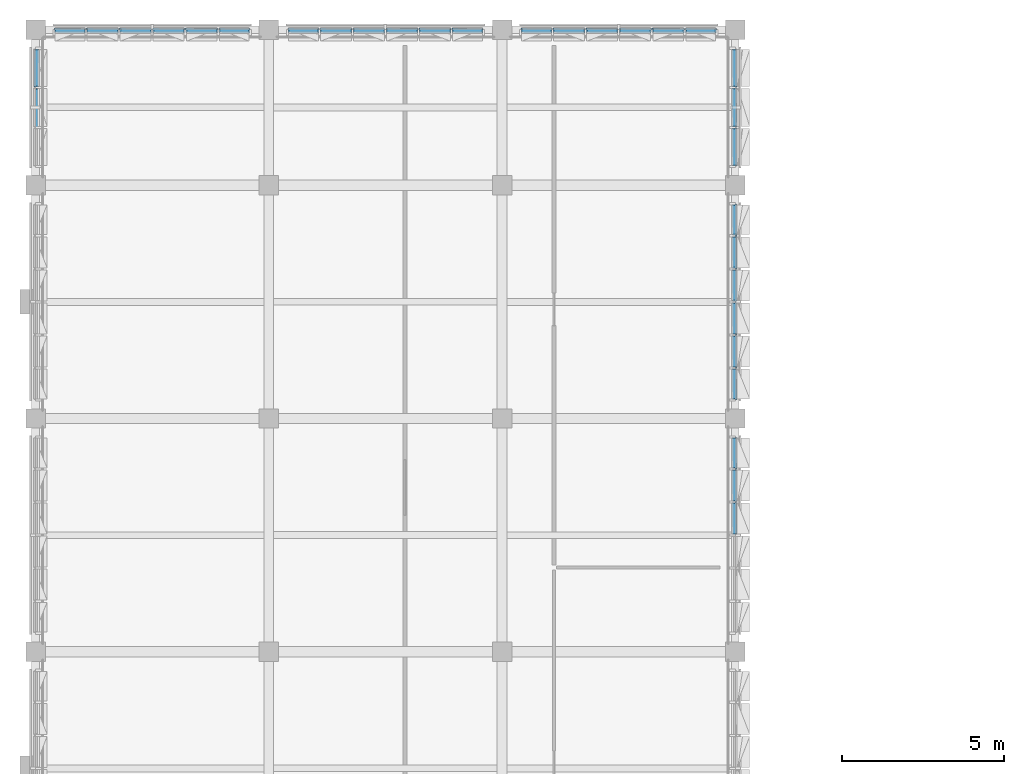
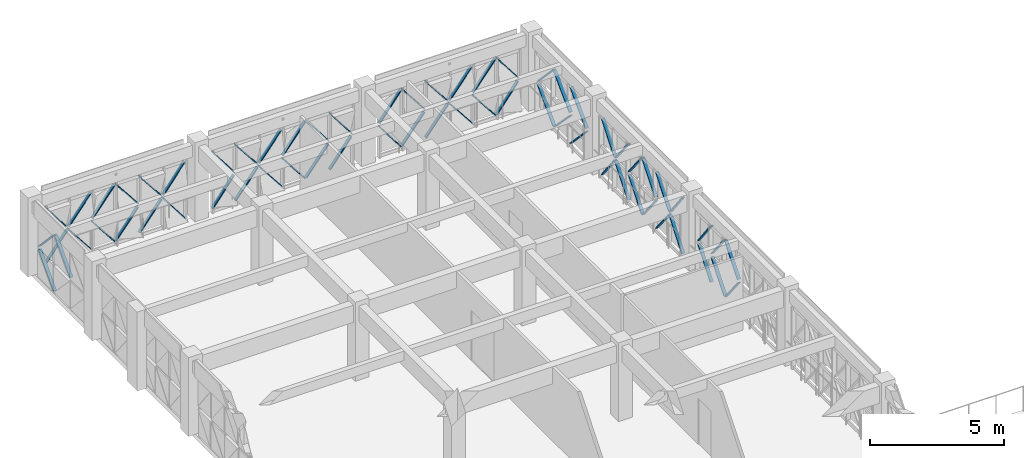
# One storey, part 65 of 99: 63 discrete accessories.
"""IFC4 building model written with IfcOpenShell, lengths in metres."""

from ifc_helpers import new_model, si_unit, direction, frame, origin, origin_2d, place, context, subcontext, project, spatial, rectangle, extrude, material, type_object, element, save


model = new_model("IFC4")

# Units and contexts
model_context = context("Model", 3, precision=1e-05, world=origin(), true_north=direction((0.0, 1.0)))
body_context = subcontext(model_context, "Body", "Model", "MODEL_VIEW")
ifc_project = project(units=[si_unit("LENGTHUNIT", "METRE"), si_unit("AREAUNIT", "SQUARE_METRE"), si_unit("VOLUMEUNIT", "CUBIC_METRE"), si_unit("PLANEANGLEUNIT", "RADIAN"), si_unit("MASSUNIT", "GRAM", prefix="KILO")], contexts=[model_context])

# Site, building, storey
site_placement = place(None, origin())
site = spatial("IfcSite", under=ifc_project, at=site_placement, CompositionType="ELEMENT")
building_placement = place(site_placement, origin())
building = spatial("IfcBuilding", under=site, at=building_placement, Name="Alvorim Cloister Faculty of Sciences", CompositionType="ELEMENT")
storey_placement = place(building_placement, frame((0.0, 0.0, 12.14990234375)))
storey = spatial("IfcBuildingStorey", under=building, at=storey_placement, Name="L03", CompositionType="ELEMENT", Elevation=12.14990234375)

# Discrete accessories
ifc_material = material(Name="Aluminium Alloy 6063-T6", Category="aluminium")
discrete_accessory_type = type_object("IfcDiscreteAccessoryType", Name="ACC-DIAG-BAR", PredefinedType="BRACKET", material=ifc_material)
discrete_accessory_1_placement = place(storey_placement, frame((0.0224609375, 108.612548828125, 1.4951171875), z_axis=(0.005921716613, 0.695151757511, 0.718838623963), x_axis=(-0.99996371874, 0.008518286405, 0.0)))
element("IfcDiscreteAccessory", 1, at=discrete_accessory_1_placement, inside=storey, type_object=discrete_accessory_type, Name="Diagonal Cassette Glazing Bracket ACC-01190", PredefinedType="BRACKET", context=body_context, shape_type="SweptSolid", body=[
    extrude(rectangle(XDim=0.139892578125, YDim=0.044921875, at=origin_2d()), origin(), (0.0, 0.0, 1.0), 1.6904296875),
])
discrete_accessory_2_placement = place(storey_placement, frame((0.0224609375, 109.8525390625, 0.14013671875), z_axis=(0.006001914684, 0.685096602967, 0.728427499223), x_axis=(-0.999961627419, 0.008760347591, 0.0)))
element("IfcDiscreteAccessory", 2, at=discrete_accessory_2_placement, inside=storey, type_object=discrete_accessory_type, Name="Diagonal Cassette Glazing Bracket ACC-01191", PredefinedType="BRACKET", context=body_context, shape_type="SweptSolid", body=[
    extrude(rectangle(XDim=0.139892578125, YDim=0.044921875, at=origin_2d()), origin(), (0.0, 0.0, 1.0), 1.667724609375),
])
discrete_accessory_3_placement = place(storey_placement, frame((0.0224609375, 109.8525390625, 2.710205078125), z_axis=(0.006001274719, 0.685023553293, -0.728496201868), x_axis=(-0.999961627419, 0.008760347591, 0.0)))
element("IfcDiscreteAccessory", 3, at=discrete_accessory_3_placement, inside=storey, type_object=discrete_accessory_type, Name="Diagonal Cassette Glazing Bracket ACC-01192", PredefinedType="BRACKET", context=body_context, shape_type="SweptSolid", body=[
    extrude(rectangle(XDim=0.139892578125, YDim=0.044921875, at=origin_2d()), origin(), (0.0, 0.0, 1.0), 1.66796875),
])
discrete_accessory_4_placement = place(storey_placement, frame((0.60498046875, 111.577392578125, 0.14013671875), z_axis=(0.604790215644, -0.006561629754, 0.796357796519), x_axis=(0.010848792579, 0.999941150118, 0.0)))
element("IfcDiscreteAccessory", 4, at=discrete_accessory_4_placement, inside=storey, type_object=discrete_accessory_type, Name="Diagonal Cassette Glazing Bracket ACC-01194", PredefinedType="BRACKET", context=body_context, shape_type="SweptSolid", body=[
    extrude(rectangle(XDim=0.139892578125, YDim=0.044921875, at=origin_2d()), origin(), (0.0, 0.0, 1.0), 1.525390625),
])
discrete_accessory_5_placement = place(storey_placement, frame((0.60498046875, 111.577392578125, 2.710205078125), z_axis=(0.604713142785, -0.006560793558, -0.796416330151), x_axis=(0.010848792579, 0.999941150118, 0.0)))
element("IfcDiscreteAccessory", 5, at=discrete_accessory_5_placement, inside=storey, type_object=discrete_accessory_type, Name="Diagonal Cassette Glazing Bracket ACC-01195", PredefinedType="BRACKET", context=body_context, shape_type="SweptSolid", body=[
    extrude(rectangle(XDim=0.139892578125, YDim=0.044921875, at=origin_2d()), origin(), (0.0, 0.0, 1.0), 1.525634765625),
])
discrete_accessory_6_placement = place(storey_placement, frame((1.592529296875, 111.577392578125, 1.35498046875), z_axis=(0.618031836495, -0.00647732753, -0.786126385072), x_axis=(0.010479997039, 0.999945083323, 0.0)))
element("IfcDiscreteAccessory", 6, at=discrete_accessory_6_placement, inside=storey, type_object=discrete_accessory_type, Name="Diagonal Cassette Glazing Bracket ACC-01196", PredefinedType="BRACKET", context=body_context, shape_type="SweptSolid", body=[
    extrude(rectangle(XDim=0.139892578125, YDim=0.044921875, at=origin_2d()), origin(), (0.0, 0.0, 1.0), 1.54541015625),
])
discrete_accessory_7_placement = place(storey_placement, frame((1.592529296875, 111.577392578125, 1.4951171875), z_axis=(0.617955086572, -0.006476523147, 0.786186724404), x_axis=(0.010479997039, 0.999945083323, 0.0)))
element("IfcDiscreteAccessory", 7, at=discrete_accessory_7_placement, inside=storey, type_object=discrete_accessory_type, Name="Diagonal Cassette Glazing Bracket ACC-01197", PredefinedType="BRACKET", context=body_context, shape_type="SweptSolid", body=[
    extrude(rectangle(XDim=0.139892578125, YDim=0.044921875, at=origin_2d()), origin(), (0.0, 0.0, 1.0), 1.545654296875),
])
discrete_accessory_8_placement = place(storey_placement, frame((2.612548828125, 111.577392578125, 1.35498046875), z_axis=(0.61793418254, -0.006477959981, -0.786203143012), x_axis=(0.010482676365, 0.999945055239, 0.0)))
element("IfcDiscreteAccessory", 8, at=discrete_accessory_8_placement, inside=storey, type_object=discrete_accessory_type, Name="Diagonal Cassette Glazing Bracket ACC-01198", PredefinedType="BRACKET", context=body_context, shape_type="SweptSolid", body=[
    extrude(rectangle(XDim=0.139892578125, YDim=0.044921875, at=origin_2d()), origin(), (0.0, 0.0, 1.0), 1.545166015625),
])
discrete_accessory_9_placement = place(storey_placement, frame((2.612548828125, 111.577392578125, 1.4951171875), z_axis=(0.61785742976, -0.006477155362, 0.786263469168), x_axis=(0.010482676365, 0.999945055239, 0.0)))
element("IfcDiscreteAccessory", 9, at=discrete_accessory_9_placement, inside=storey, type_object=discrete_accessory_type, Name="Diagonal Cassette Glazing Bracket ACC-01199", PredefinedType="BRACKET", context=body_context, shape_type="SweptSolid", body=[
    extrude(rectangle(XDim=0.139892578125, YDim=0.044921875, at=origin_2d()), origin(), (0.0, 0.0, 1.0), 1.54541015625),
])
discrete_accessory_10_placement = place(storey_placement, frame((3.632568359375, 111.577392578125, 0.14013671875), z_axis=(0.61793418254, -0.006477959981, 0.786203143012), x_axis=(0.010482676365, 0.999945055239, 0.0)))
element("IfcDiscreteAccessory", 10, at=discrete_accessory_10_placement, inside=storey, type_object=discrete_accessory_type, Name="Diagonal Cassette Glazing Bracket ACC-01200", PredefinedType="BRACKET", context=body_context, shape_type="SweptSolid", body=[
    extrude(rectangle(XDim=0.139892578125, YDim=0.044921875, at=origin_2d()), origin(), (0.0, 0.0, 1.0), 1.545166015625),
])
discrete_accessory_11_placement = place(storey_placement, frame((3.632568359375, 111.577392578125, 2.710205078125), z_axis=(0.61785742976, -0.006477155362, -0.786263469168), x_axis=(0.010482676365, 0.999945055239, 0.0)))
element("IfcDiscreteAccessory", 11, at=discrete_accessory_11_placement, inside=storey, type_object=discrete_accessory_type, Name="Diagonal Cassette Glazing Bracket ACC-01201", PredefinedType="BRACKET", context=body_context, shape_type="SweptSolid", body=[
    extrude(rectangle(XDim=0.139892578125, YDim=0.044921875, at=origin_2d()), origin(), (0.0, 0.0, 1.0), 1.54541015625),
])
discrete_accessory_12_placement = place(storey_placement, frame((4.652587890625, 111.577392578125, 0.14013671875), z_axis=(0.61793418254, -0.006477959981, 0.786203143012), x_axis=(0.010482676365, 0.999945055239, 0.0)))
element("IfcDiscreteAccessory", 12, at=discrete_accessory_12_placement, inside=storey, type_object=discrete_accessory_type, Name="Diagonal Cassette Glazing Bracket ACC-01202", PredefinedType="BRACKET", context=body_context, shape_type="SweptSolid", body=[
    extrude(rectangle(XDim=0.139892578125, YDim=0.044921875, at=origin_2d()), origin(), (0.0, 0.0, 1.0), 1.545166015625),
])
discrete_accessory_13_placement = place(storey_placement, frame((4.652587890625, 111.577392578125, 2.710205078125), z_axis=(0.61785742976, -0.006477155362, -0.786263469168), x_axis=(0.010482676365, 0.999945055239, 0.0)))
element("IfcDiscreteAccessory", 13, at=discrete_accessory_13_placement, inside=storey, type_object=discrete_accessory_type, Name="Diagonal Cassette Glazing Bracket ACC-01203", PredefinedType="BRACKET", context=body_context, shape_type="SweptSolid", body=[
    extrude(rectangle(XDim=0.139892578125, YDim=0.044921875, at=origin_2d()), origin(), (0.0, 0.0, 1.0), 1.54541015625),
])
discrete_accessory_14_placement = place(storey_placement, frame((5.672607421875, 111.577392578125, 1.35498046875), z_axis=(0.604688699088, -0.006562264866, -0.796434877359), x_axis=(0.010851663811, 0.999941118963, 0.0)))
element("IfcDiscreteAccessory", 14, at=discrete_accessory_14_placement, inside=storey, type_object=discrete_accessory_type, Name="Diagonal Cassette Glazing Bracket ACC-01204", PredefinedType="BRACKET", context=body_context, shape_type="SweptSolid", body=[
    extrude(rectangle(XDim=0.139892578125, YDim=0.044921875, at=origin_2d()), origin(), (0.0, 0.0, 1.0), 1.525390625),
])
discrete_accessory_15_placement = place(storey_placement, frame((5.672607421875, 111.577392578125, 1.4951171875), z_axis=(0.604611624251, -0.006561428426, 0.796493397008), x_axis=(0.010851663811, 0.999941118963, 0.0)))
element("IfcDiscreteAccessory", 15, at=discrete_accessory_15_placement, inside=storey, type_object=discrete_accessory_type, Name="Diagonal Cassette Glazing Bracket ACC-01205", PredefinedType="BRACKET", context=body_context, shape_type="SweptSolid", body=[
    extrude(rectangle(XDim=0.139892578125, YDim=0.044921875, at=origin_2d()), origin(), (0.0, 0.0, 1.0), 1.525634765625),
])
discrete_accessory_16_placement = place(storey_placement, frame((7.804931640625, 111.577392578125, 0.14013671875), z_axis=(0.604790215644, -0.006561629754, 0.796357796519), x_axis=(0.010848792579, 0.999941150118, 0.0)))
element("IfcDiscreteAccessory", 16, at=discrete_accessory_16_placement, inside=storey, type_object=discrete_accessory_type, Name="Diagonal Cassette Glazing Bracket ACC-01207", PredefinedType="BRACKET", context=body_context, shape_type="SweptSolid", body=[
    extrude(rectangle(XDim=0.139892578125, YDim=0.044921875, at=origin_2d()), origin(), (0.0, 0.0, 1.0), 1.525390625),
])
discrete_accessory_17_placement = place(storey_placement, frame((7.804931640625, 111.577392578125, 2.710205078125), z_axis=(0.604713142785, -0.006560793558, -0.796416330151), x_axis=(0.010848792579, 0.999941150118, 0.0)))
element("IfcDiscreteAccessory", 17, at=discrete_accessory_17_placement, inside=storey, type_object=discrete_accessory_type, Name="Diagonal Cassette Glazing Bracket ACC-01208", PredefinedType="BRACKET", context=body_context, shape_type="SweptSolid", body=[
    extrude(rectangle(XDim=0.139892578125, YDim=0.044921875, at=origin_2d()), origin(), (0.0, 0.0, 1.0), 1.525634765625),
])
discrete_accessory_18_placement = place(storey_placement, frame((8.79248046875, 111.577392578125, 0.14013671875), z_axis=(0.618031836495, -0.00647732753, 0.786126385072), x_axis=(0.010479997039, 0.999945083323, 0.0)))
element("IfcDiscreteAccessory", 18, at=discrete_accessory_18_placement, inside=storey, type_object=discrete_accessory_type, Name="Diagonal Cassette Glazing Bracket ACC-01209", PredefinedType="BRACKET", context=body_context, shape_type="SweptSolid", body=[
    extrude(rectangle(XDim=0.139892578125, YDim=0.044921875, at=origin_2d()), origin(), (0.0, 0.0, 1.0), 1.54541015625),
])
discrete_accessory_19_placement = place(storey_placement, frame((8.79248046875, 111.577392578125, 2.710205078125), z_axis=(0.617955086572, -0.006476523147, -0.786186724404), x_axis=(0.010479997039, 0.999945083323, 0.0)))
element("IfcDiscreteAccessory", 19, at=discrete_accessory_19_placement, inside=storey, type_object=discrete_accessory_type, Name="Diagonal Cassette Glazing Bracket ACC-01210", PredefinedType="BRACKET", context=body_context, shape_type="SweptSolid", body=[
    extrude(rectangle(XDim=0.139892578125, YDim=0.044921875, at=origin_2d()), origin(), (0.0, 0.0, 1.0), 1.545654296875),
])
discrete_accessory_20_placement = place(storey_placement, frame((9.8125, 111.577392578125, 1.35498046875), z_axis=(0.618031836495, -0.00647732753, -0.786126385072), x_axis=(0.010479997039, 0.999945083323, 0.0)))
element("IfcDiscreteAccessory", 20, at=discrete_accessory_20_placement, inside=storey, type_object=discrete_accessory_type, Name="Diagonal Cassette Glazing Bracket ACC-01211", PredefinedType="BRACKET", context=body_context, shape_type="SweptSolid", body=[
    extrude(rectangle(XDim=0.139892578125, YDim=0.044921875, at=origin_2d()), origin(), (0.0, 0.0, 1.0), 1.54541015625),
])
discrete_accessory_21_placement = place(storey_placement, frame((9.8125, 111.577392578125, 1.4951171875), z_axis=(0.617955086572, -0.006476523147, 0.786186724404), x_axis=(0.010479997039, 0.999945083323, 0.0)))
element("IfcDiscreteAccessory", 21, at=discrete_accessory_21_placement, inside=storey, type_object=discrete_accessory_type, Name="Diagonal Cassette Glazing Bracket ACC-01212", PredefinedType="BRACKET", context=body_context, shape_type="SweptSolid", body=[
    extrude(rectangle(XDim=0.139892578125, YDim=0.044921875, at=origin_2d()), origin(), (0.0, 0.0, 1.0), 1.545654296875),
])
discrete_accessory_22_placement = place(storey_placement, frame((10.83251953125, 111.577392578125, 1.35498046875), z_axis=(0.618031836495, -0.00647732753, -0.786126385072), x_axis=(0.010479997039, 0.999945083323, 0.0)))
element("IfcDiscreteAccessory", 22, at=discrete_accessory_22_placement, inside=storey, type_object=discrete_accessory_type, Name="Diagonal Cassette Glazing Bracket ACC-01213", PredefinedType="BRACKET", context=body_context, shape_type="SweptSolid", body=[
    extrude(rectangle(XDim=0.139892578125, YDim=0.044921875, at=origin_2d()), origin(), (0.0, 0.0, 1.0), 1.54541015625),
])
discrete_accessory_23_placement = place(storey_placement, frame((10.83251953125, 111.577392578125, 1.4951171875), z_axis=(0.617955086572, -0.006476523147, 0.786186724404), x_axis=(0.010479997039, 0.999945083323, 0.0)))
element("IfcDiscreteAccessory", 23, at=discrete_accessory_23_placement, inside=storey, type_object=discrete_accessory_type, Name="Diagonal Cassette Glazing Bracket ACC-01214", PredefinedType="BRACKET", context=body_context, shape_type="SweptSolid", body=[
    extrude(rectangle(XDim=0.139892578125, YDim=0.044921875, at=origin_2d()), origin(), (0.0, 0.0, 1.0), 1.545654296875),
])
discrete_accessory_24_placement = place(storey_placement, frame((11.8525390625, 111.577392578125, 0.14013671875), z_axis=(0.618031836495, -0.00647732753, 0.786126385072), x_axis=(0.010479997039, 0.999945083323, 0.0)))
element("IfcDiscreteAccessory", 24, at=discrete_accessory_24_placement, inside=storey, type_object=discrete_accessory_type, Name="Diagonal Cassette Glazing Bracket ACC-01215", PredefinedType="BRACKET", context=body_context, shape_type="SweptSolid", body=[
    extrude(rectangle(XDim=0.139892578125, YDim=0.044921875, at=origin_2d()), origin(), (0.0, 0.0, 1.0), 1.54541015625),
])
discrete_accessory_25_placement = place(storey_placement, frame((11.8525390625, 111.577392578125, 2.710205078125), z_axis=(0.617955086572, -0.006476523147, -0.786186724404), x_axis=(0.010479997039, 0.999945083323, 0.0)))
element("IfcDiscreteAccessory", 25, at=discrete_accessory_25_placement, inside=storey, type_object=discrete_accessory_type, Name="Diagonal Cassette Glazing Bracket ACC-01216", PredefinedType="BRACKET", context=body_context, shape_type="SweptSolid", body=[
    extrude(rectangle(XDim=0.139892578125, YDim=0.044921875, at=origin_2d()), origin(), (0.0, 0.0, 1.0), 1.545654296875),
])
discrete_accessory_26_placement = place(storey_placement, frame((12.87255859375, 111.577392578125, 0.14013671875), z_axis=(0.604688699088, -0.006562264866, 0.796434877359), x_axis=(0.010851663811, 0.999941118963, 0.0)))
element("IfcDiscreteAccessory", 26, at=discrete_accessory_26_placement, inside=storey, type_object=discrete_accessory_type, Name="Diagonal Cassette Glazing Bracket ACC-01217", PredefinedType="BRACKET", context=body_context, shape_type="SweptSolid", body=[
    extrude(rectangle(XDim=0.139892578125, YDim=0.044921875, at=origin_2d()), origin(), (0.0, 0.0, 1.0), 1.525390625),
])
discrete_accessory_27_placement = place(storey_placement, frame((12.87255859375, 111.577392578125, 2.710205078125), z_axis=(0.604611624251, -0.006561428426, -0.796493397008), x_axis=(0.010851663811, 0.999941118963, 0.0)))
element("IfcDiscreteAccessory", 27, at=discrete_accessory_27_placement, inside=storey, type_object=discrete_accessory_type, Name="Diagonal Cassette Glazing Bracket ACC-01218", PredefinedType="BRACKET", context=body_context, shape_type="SweptSolid", body=[
    extrude(rectangle(XDim=0.139892578125, YDim=0.044921875, at=origin_2d()), origin(), (0.0, 0.0, 1.0), 1.525634765625),
])
discrete_accessory_28_placement = place(storey_placement, frame((15.0048828125, 111.577392578125, 1.35498046875), z_axis=(0.604790215644, -0.006561629754, -0.796357796519), x_axis=(0.010848792579, 0.999941150118, 0.0)))
element("IfcDiscreteAccessory", 28, at=discrete_accessory_28_placement, inside=storey, type_object=discrete_accessory_type, Name="Diagonal Cassette Glazing Bracket ACC-01220", PredefinedType="BRACKET", context=body_context, shape_type="SweptSolid", body=[
    extrude(rectangle(XDim=0.139892578125, YDim=0.044921875, at=origin_2d()), origin(), (0.0, 0.0, 1.0), 1.525390625),
])
discrete_accessory_29_placement = place(storey_placement, frame((15.0048828125, 111.577392578125, 1.4951171875), z_axis=(0.604713142785, -0.006560793558, 0.796416330151), x_axis=(0.010848792579, 0.999941150118, 0.0)))
element("IfcDiscreteAccessory", 29, at=discrete_accessory_29_placement, inside=storey, type_object=discrete_accessory_type, Name="Diagonal Cassette Glazing Bracket ACC-01221", PredefinedType="BRACKET", context=body_context, shape_type="SweptSolid", body=[
    extrude(rectangle(XDim=0.139892578125, YDim=0.044921875, at=origin_2d()), origin(), (0.0, 0.0, 1.0), 1.525634765625),
])
discrete_accessory_30_placement = place(storey_placement, frame((15.992431640625, 111.577392578125, 0.14013671875), z_axis=(0.618031836495, -0.00647732753, 0.786126385072), x_axis=(0.010479997039, 0.999945083323, 0.0)))
element("IfcDiscreteAccessory", 30, at=discrete_accessory_30_placement, inside=storey, type_object=discrete_accessory_type, Name="Diagonal Cassette Glazing Bracket ACC-01222", PredefinedType="BRACKET", context=body_context, shape_type="SweptSolid", body=[
    extrude(rectangle(XDim=0.139892578125, YDim=0.044921875, at=origin_2d()), origin(), (0.0, 0.0, 1.0), 1.54541015625),
])
discrete_accessory_31_placement = place(storey_placement, frame((15.992431640625, 111.577392578125, 2.710205078125), z_axis=(0.617955086572, -0.006476523147, -0.786186724404), x_axis=(0.010479997039, 0.999945083323, 0.0)))
element("IfcDiscreteAccessory", 31, at=discrete_accessory_31_placement, inside=storey, type_object=discrete_accessory_type, Name="Diagonal Cassette Glazing Bracket ACC-01223", PredefinedType="BRACKET", context=body_context, shape_type="SweptSolid", body=[
    extrude(rectangle(XDim=0.139892578125, YDim=0.044921875, at=origin_2d()), origin(), (0.0, 0.0, 1.0), 1.545654296875),
])
discrete_accessory_32_placement = place(storey_placement, frame((17.012451171875, 111.577392578125, 0.14013671875), z_axis=(0.618031836495, -0.00647732753, 0.786126385072), x_axis=(0.010479997039, 0.999945083323, 0.0)))
element("IfcDiscreteAccessory", 32, at=discrete_accessory_32_placement, inside=storey, type_object=discrete_accessory_type, Name="Diagonal Cassette Glazing Bracket ACC-01224", PredefinedType="BRACKET", context=body_context, shape_type="SweptSolid", body=[
    extrude(rectangle(XDim=0.139892578125, YDim=0.044921875, at=origin_2d()), origin(), (0.0, 0.0, 1.0), 1.54541015625),
])
discrete_accessory_33_placement = place(storey_placement, frame((17.012451171875, 111.577392578125, 2.710205078125), z_axis=(0.617955086572, -0.006476523147, -0.786186724404), x_axis=(0.010479997039, 0.999945083323, 0.0)))
element("IfcDiscreteAccessory", 33, at=discrete_accessory_33_placement, inside=storey, type_object=discrete_accessory_type, Name="Diagonal Cassette Glazing Bracket ACC-01225", PredefinedType="BRACKET", context=body_context, shape_type="SweptSolid", body=[
    extrude(rectangle(XDim=0.139892578125, YDim=0.044921875, at=origin_2d()), origin(), (0.0, 0.0, 1.0), 1.545654296875),
])
discrete_accessory_34_placement = place(storey_placement, frame((18.032470703125, 111.577392578125, 1.35498046875), z_axis=(0.618031836495, -0.00647732753, -0.786126385072), x_axis=(0.010479997039, 0.999945083323, 0.0)))
element("IfcDiscreteAccessory", 34, at=discrete_accessory_34_placement, inside=storey, type_object=discrete_accessory_type, Name="Diagonal Cassette Glazing Bracket ACC-01226", PredefinedType="BRACKET", context=body_context, shape_type="SweptSolid", body=[
    extrude(rectangle(XDim=0.139892578125, YDim=0.044921875, at=origin_2d()), origin(), (0.0, 0.0, 1.0), 1.54541015625),
])
discrete_accessory_35_placement = place(storey_placement, frame((18.032470703125, 111.577392578125, 1.4951171875), z_axis=(0.617955086572, -0.006476523147, 0.786186724404), x_axis=(0.010479997039, 0.999945083323, 0.0)))
element("IfcDiscreteAccessory", 35, at=discrete_accessory_35_placement, inside=storey, type_object=discrete_accessory_type, Name="Diagonal Cassette Glazing Bracket ACC-01227", PredefinedType="BRACKET", context=body_context, shape_type="SweptSolid", body=[
    extrude(rectangle(XDim=0.139892578125, YDim=0.044921875, at=origin_2d()), origin(), (0.0, 0.0, 1.0), 1.545654296875),
])
discrete_accessory_36_placement = place(storey_placement, frame((19.052490234375, 111.577392578125, 1.35498046875), z_axis=(0.618031836495, -0.00647732753, -0.786126385072), x_axis=(0.010479997039, 0.999945083323, 0.0)))
element("IfcDiscreteAccessory", 36, at=discrete_accessory_36_placement, inside=storey, type_object=discrete_accessory_type, Name="Diagonal Cassette Glazing Bracket ACC-01228", PredefinedType="BRACKET", context=body_context, shape_type="SweptSolid", body=[
    extrude(rectangle(XDim=0.139892578125, YDim=0.044921875, at=origin_2d()), origin(), (0.0, 0.0, 1.0), 1.54541015625),
])
discrete_accessory_37_placement = place(storey_placement, frame((19.052490234375, 111.577392578125, 1.4951171875), z_axis=(0.617955086572, -0.006476523147, 0.786186724404), x_axis=(0.010479997039, 0.999945083323, 0.0)))
element("IfcDiscreteAccessory", 37, at=discrete_accessory_37_placement, inside=storey, type_object=discrete_accessory_type, Name="Diagonal Cassette Glazing Bracket ACC-01229", PredefinedType="BRACKET", context=body_context, shape_type="SweptSolid", body=[
    extrude(rectangle(XDim=0.139892578125, YDim=0.044921875, at=origin_2d()), origin(), (0.0, 0.0, 1.0), 1.545654296875),
])
discrete_accessory_38_placement = place(storey_placement, frame((20.072509765625, 111.577392578125, 0.14013671875), z_axis=(0.604790215644, -0.006561629754, 0.796357796519), x_axis=(0.010848792579, 0.999941150118, 0.0)))
element("IfcDiscreteAccessory", 38, at=discrete_accessory_38_placement, inside=storey, type_object=discrete_accessory_type, Name="Diagonal Cassette Glazing Bracket ACC-01230", PredefinedType="BRACKET", context=body_context, shape_type="SweptSolid", body=[
    extrude(rectangle(XDim=0.139892578125, YDim=0.044921875, at=origin_2d()), origin(), (0.0, 0.0, 1.0), 1.525390625),
])
discrete_accessory_39_placement = place(storey_placement, frame((20.072509765625, 111.577392578125, 2.710205078125), z_axis=(0.604713142785, -0.006560793558, -0.796416330151), x_axis=(0.010848792579, 0.999941150118, 0.0)))
element("IfcDiscreteAccessory", 39, at=discrete_accessory_39_placement, inside=storey, type_object=discrete_accessory_type, Name="Diagonal Cassette Glazing Bracket ACC-01231", PredefinedType="BRACKET", context=body_context, shape_type="SweptSolid", body=[
    extrude(rectangle(XDim=0.139892578125, YDim=0.044921875, at=origin_2d()), origin(), (0.0, 0.0, 1.0), 1.525634765625),
])
discrete_accessory_40_placement = place(storey_placement, frame((21.577392578125, 107.405029296875, 1.35498046875), z_axis=(-0.006001914684, 0.685096602967, -0.728427499223), x_axis=(-0.999961627419, -0.008760347591, 0.0)))
element("IfcDiscreteAccessory", 40, at=discrete_accessory_40_placement, inside=storey, type_object=discrete_accessory_type, Name="Diagonal Cassette Glazing Bracket ACC-01233", PredefinedType="BRACKET", context=body_context, shape_type="SweptSolid", body=[
    extrude(rectangle(XDim=0.139892578125, YDim=0.044921875, at=origin_2d()), origin(), (0.0, 0.0, 1.0), 1.667724609375),
])
discrete_accessory_41_placement = place(storey_placement, frame((21.577392578125, 107.405029296875, 1.4951171875), z_axis=(-0.006001274719, 0.685023553293, 0.728496201868), x_axis=(-0.999961627419, -0.008760347591, 0.0)))
element("IfcDiscreteAccessory", 41, at=discrete_accessory_41_placement, inside=storey, type_object=discrete_accessory_type, Name="Diagonal Cassette Glazing Bracket ACC-01234", PredefinedType="BRACKET", context=body_context, shape_type="SweptSolid", body=[
    extrude(rectangle(XDim=0.139892578125, YDim=0.044921875, at=origin_2d()), origin(), (0.0, 0.0, 1.0), 1.66796875),
])
discrete_accessory_42_placement = place(storey_placement, frame((21.577392578125, 108.612548828125, 1.35498046875), z_axis=(-0.00592233146, 0.695223934506, -0.718768813235), x_axis=(-0.99996371874, -0.008518286405, 0.0)))
element("IfcDiscreteAccessory", 42, at=discrete_accessory_42_placement, inside=storey, type_object=discrete_accessory_type, Name="Diagonal Cassette Glazing Bracket ACC-01235", PredefinedType="BRACKET", context=body_context, shape_type="SweptSolid", body=[
    extrude(rectangle(XDim=0.139892578125, YDim=0.044921875, at=origin_2d()), origin(), (0.0, 0.0, 1.0), 1.690185546875),
])
discrete_accessory_43_placement = place(storey_placement, frame((21.577392578125, 108.612548828125, 1.4951171875), z_axis=(-0.005921716613, 0.695151757511, 0.718838623963), x_axis=(-0.99996371874, -0.008518286405, 0.0)))
element("IfcDiscreteAccessory", 43, at=discrete_accessory_43_placement, inside=storey, type_object=discrete_accessory_type, Name="Diagonal Cassette Glazing Bracket ACC-01236", PredefinedType="BRACKET", context=body_context, shape_type="SweptSolid", body=[
    extrude(rectangle(XDim=0.139892578125, YDim=0.044921875, at=origin_2d()), origin(), (0.0, 0.0, 1.0), 1.6904296875),
])
discrete_accessory_44_placement = place(storey_placement, frame((21.577392578125, 109.8525390625, 0.14013671875), z_axis=(-0.006001914684, 0.685096602967, 0.728427499223), x_axis=(-0.999961627419, -0.008760347591, 0.0)))
element("IfcDiscreteAccessory", 44, at=discrete_accessory_44_placement, inside=storey, type_object=discrete_accessory_type, Name="Diagonal Cassette Glazing Bracket ACC-01237", PredefinedType="BRACKET", context=body_context, shape_type="SweptSolid", body=[
    extrude(rectangle(XDim=0.139892578125, YDim=0.044921875, at=origin_2d()), origin(), (0.0, 0.0, 1.0), 1.667724609375),
])
discrete_accessory_45_placement = place(storey_placement, frame((21.577392578125, 109.8525390625, 2.710205078125), z_axis=(-0.006001274719, 0.685023553293, -0.728496201868), x_axis=(-0.999961627419, -0.008760347591, 0.0)))
element("IfcDiscreteAccessory", 45, at=discrete_accessory_45_placement, inside=storey, type_object=discrete_accessory_type, Name="Diagonal Cassette Glazing Bracket ACC-01238", PredefinedType="BRACKET", context=body_context, shape_type="SweptSolid", body=[
    extrude(rectangle(XDim=0.139892578125, YDim=0.044921875, at=origin_2d()), origin(), (0.0, 0.0, 1.0), 1.66796875),
])
discrete_accessory_46_placement = place(storey_placement, frame((21.577392578125, 100.205078125, 0.14013671875), z_axis=(-0.006562264866, 0.604688699088, 0.796434877359), x_axis=(-0.999941118963, -0.010851663811, 0.0)))
element("IfcDiscreteAccessory", 46, at=discrete_accessory_46_placement, inside=storey, type_object=discrete_accessory_type, Name="Diagonal Cassette Glazing Bracket ACC-01240", PredefinedType="BRACKET", context=body_context, shape_type="SweptSolid", body=[
    extrude(rectangle(XDim=0.139892578125, YDim=0.044921875, at=origin_2d()), origin(), (0.0, 0.0, 1.0), 1.525390625),
])
discrete_accessory_47_placement = place(storey_placement, frame((21.577392578125, 100.205078125, 2.710205078125), z_axis=(-0.006561428426, 0.604611624251, -0.796493397008), x_axis=(-0.999941118963, -0.010851663811, 0.0)))
element("IfcDiscreteAccessory", 47, at=discrete_accessory_47_placement, inside=storey, type_object=discrete_accessory_type, Name="Diagonal Cassette Glazing Bracket ACC-01241", PredefinedType="BRACKET", context=body_context, shape_type="SweptSolid", body=[
    extrude(rectangle(XDim=0.139892578125, YDim=0.044921875, at=origin_2d()), origin(), (0.0, 0.0, 1.0), 1.525634765625),
])
discrete_accessory_48_placement = place(storey_placement, frame((21.577392578125, 101.1923828125, 1.35498046875), z_axis=(-0.00647732753, 0.618031836495, -0.786126385072), x_axis=(-0.999945083323, -0.010479997039, 0.0)))
element("IfcDiscreteAccessory", 48, at=discrete_accessory_48_placement, inside=storey, type_object=discrete_accessory_type, Name="Diagonal Cassette Glazing Bracket ACC-01242", PredefinedType="BRACKET", context=body_context, shape_type="SweptSolid", body=[
    extrude(rectangle(XDim=0.139892578125, YDim=0.044921875, at=origin_2d()), origin(), (0.0, 0.0, 1.0), 1.54541015625),
])
discrete_accessory_49_placement = place(storey_placement, frame((21.577392578125, 101.1923828125, 1.4951171875), z_axis=(-0.006476523147, 0.617955086572, 0.786186724404), x_axis=(-0.999945083323, -0.010479997039, 0.0)))
element("IfcDiscreteAccessory", 49, at=discrete_accessory_49_placement, inside=storey, type_object=discrete_accessory_type, Name="Diagonal Cassette Glazing Bracket ACC-01243", PredefinedType="BRACKET", context=body_context, shape_type="SweptSolid", body=[
    extrude(rectangle(XDim=0.139892578125, YDim=0.044921875, at=origin_2d()), origin(), (0.0, 0.0, 1.0), 1.545654296875),
])
discrete_accessory_50_placement = place(storey_placement, frame((21.577392578125, 102.21240234375, 1.35498046875), z_axis=(-0.00647732753, 0.618031836495, -0.786126385072), x_axis=(-0.999945083323, -0.010479997039, 0.0)))
element("IfcDiscreteAccessory", 50, at=discrete_accessory_50_placement, inside=storey, type_object=discrete_accessory_type, Name="Diagonal Cassette Glazing Bracket ACC-01244", PredefinedType="BRACKET", context=body_context, shape_type="SweptSolid", body=[
    extrude(rectangle(XDim=0.139892578125, YDim=0.044921875, at=origin_2d()), origin(), (0.0, 0.0, 1.0), 1.54541015625),
])
discrete_accessory_51_placement = place(storey_placement, frame((21.577392578125, 102.21240234375, 1.4951171875), z_axis=(-0.006476523147, 0.617955086572, 0.786186724404), x_axis=(-0.999945083323, -0.010479997039, 0.0)))
element("IfcDiscreteAccessory", 51, at=discrete_accessory_51_placement, inside=storey, type_object=discrete_accessory_type, Name="Diagonal Cassette Glazing Bracket ACC-01245", PredefinedType="BRACKET", context=body_context, shape_type="SweptSolid", body=[
    extrude(rectangle(XDim=0.139892578125, YDim=0.044921875, at=origin_2d()), origin(), (0.0, 0.0, 1.0), 1.545654296875),
])
discrete_accessory_52_placement = place(storey_placement, frame((21.577392578125, 103.232421875, 0.14013671875), z_axis=(-0.00647732753, 0.618031836495, 0.786126385072), x_axis=(-0.999945083323, -0.010479997039, 0.0)))
element("IfcDiscreteAccessory", 52, at=discrete_accessory_52_placement, inside=storey, type_object=discrete_accessory_type, Name="Diagonal Cassette Glazing Bracket ACC-01246", PredefinedType="BRACKET", context=body_context, shape_type="SweptSolid", body=[
    extrude(rectangle(XDim=0.139892578125, YDim=0.044921875, at=origin_2d()), origin(), (0.0, 0.0, 1.0), 1.54541015625),
])
discrete_accessory_53_placement = place(storey_placement, frame((21.577392578125, 103.232421875, 2.710205078125), z_axis=(-0.006476523147, 0.617955086572, -0.786186724404), x_axis=(-0.999945083323, -0.010479997039, 0.0)))
element("IfcDiscreteAccessory", 53, at=discrete_accessory_53_placement, inside=storey, type_object=discrete_accessory_type, Name="Diagonal Cassette Glazing Bracket ACC-01247", PredefinedType="BRACKET", context=body_context, shape_type="SweptSolid", body=[
    extrude(rectangle(XDim=0.139892578125, YDim=0.044921875, at=origin_2d()), origin(), (0.0, 0.0, 1.0), 1.545654296875),
])
discrete_accessory_54_placement = place(storey_placement, frame((21.577392578125, 104.25244140625, 0.14013671875), z_axis=(-0.00647732753, 0.618031836495, 0.786126385072), x_axis=(-0.999945083323, -0.010479997039, 0.0)))
element("IfcDiscreteAccessory", 54, at=discrete_accessory_54_placement, inside=storey, type_object=discrete_accessory_type, Name="Diagonal Cassette Glazing Bracket ACC-01248", PredefinedType="BRACKET", context=body_context, shape_type="SweptSolid", body=[
    extrude(rectangle(XDim=0.139892578125, YDim=0.044921875, at=origin_2d()), origin(), (0.0, 0.0, 1.0), 1.54541015625),
])
discrete_accessory_55_placement = place(storey_placement, frame((21.577392578125, 104.25244140625, 2.710205078125), z_axis=(-0.006476523147, 0.617955086572, -0.786186724404), x_axis=(-0.999945083323, -0.010479997039, 0.0)))
element("IfcDiscreteAccessory", 55, at=discrete_accessory_55_placement, inside=storey, type_object=discrete_accessory_type, Name="Diagonal Cassette Glazing Bracket ACC-01249", PredefinedType="BRACKET", context=body_context, shape_type="SweptSolid", body=[
    extrude(rectangle(XDim=0.139892578125, YDim=0.044921875, at=origin_2d()), origin(), (0.0, 0.0, 1.0), 1.545654296875),
])
discrete_accessory_56_placement = place(storey_placement, frame((21.577392578125, 105.2724609375, 1.35498046875), z_axis=(-0.006561629754, 0.604790215644, -0.796357796519), x_axis=(-0.999941150118, -0.010848792579, 0.0)))
element("IfcDiscreteAccessory", 56, at=discrete_accessory_56_placement, inside=storey, type_object=discrete_accessory_type, Name="Diagonal Cassette Glazing Bracket ACC-01250", PredefinedType="BRACKET", context=body_context, shape_type="SweptSolid", body=[
    extrude(rectangle(XDim=0.139892578125, YDim=0.044921875, at=origin_2d()), origin(), (0.0, 0.0, 1.0), 1.525390625),
])
discrete_accessory_57_placement = place(storey_placement, frame((21.577392578125, 105.2724609375, 1.4951171875), z_axis=(-0.006560793558, 0.604713142785, 0.796416330151), x_axis=(-0.999941150118, -0.010848792579, 0.0)))
element("IfcDiscreteAccessory", 57, at=discrete_accessory_57_placement, inside=storey, type_object=discrete_accessory_type, Name="Diagonal Cassette Glazing Bracket ACC-01251", PredefinedType="BRACKET", context=body_context, shape_type="SweptSolid", body=[
    extrude(rectangle(XDim=0.139892578125, YDim=0.044921875, at=origin_2d()), origin(), (0.0, 0.0, 1.0), 1.525634765625),
])
discrete_accessory_58_placement = place(storey_placement, frame((21.577392578125, 96.032470703125, 1.35498046875), z_axis=(-0.00647732753, 0.618031836495, -0.786126385072), x_axis=(-0.999945083323, -0.010479997039, 0.0)))
element("IfcDiscreteAccessory", 58, at=discrete_accessory_58_placement, inside=storey, type_object=discrete_accessory_type, Name="Diagonal Cassette Glazing Bracket ACC-01259", PredefinedType="BRACKET", context=body_context, shape_type="SweptSolid", body=[
    extrude(rectangle(XDim=0.139892578125, YDim=0.044921875, at=origin_2d()), origin(), (0.0, 0.0, 1.0), 1.54541015625),
])
discrete_accessory_59_placement = place(storey_placement, frame((21.577392578125, 96.032470703125, 1.4951171875), z_axis=(-0.006476523147, 0.617955086572, 0.786186724404), x_axis=(-0.999945083323, -0.010479997039, 0.0)))
element("IfcDiscreteAccessory", 59, at=discrete_accessory_59_placement, inside=storey, type_object=discrete_accessory_type, Name="Diagonal Cassette Glazing Bracket ACC-01260", PredefinedType="BRACKET", context=body_context, shape_type="SweptSolid", body=[
    extrude(rectangle(XDim=0.139892578125, YDim=0.044921875, at=origin_2d()), origin(), (0.0, 0.0, 1.0), 1.545654296875),
])
discrete_accessory_60_placement = place(storey_placement, frame((21.577392578125, 97.052490234375, 0.14013671875), z_axis=(-0.00647732753, 0.618031836495, 0.786126385072), x_axis=(-0.999945083323, -0.010479997039, 0.0)))
element("IfcDiscreteAccessory", 60, at=discrete_accessory_60_placement, inside=storey, type_object=discrete_accessory_type, Name="Diagonal Cassette Glazing Bracket ACC-01261", PredefinedType="BRACKET", context=body_context, shape_type="SweptSolid", body=[
    extrude(rectangle(XDim=0.139892578125, YDim=0.044921875, at=origin_2d()), origin(), (0.0, 0.0, 1.0), 1.54541015625),
])
discrete_accessory_61_placement = place(storey_placement, frame((21.577392578125, 97.052490234375, 2.710205078125), z_axis=(-0.006476523147, 0.617955086572, -0.786186724404), x_axis=(-0.999945083323, -0.010479997039, 0.0)))
element("IfcDiscreteAccessory", 61, at=discrete_accessory_61_placement, inside=storey, type_object=discrete_accessory_type, Name="Diagonal Cassette Glazing Bracket ACC-01262", PredefinedType="BRACKET", context=body_context, shape_type="SweptSolid", body=[
    extrude(rectangle(XDim=0.139892578125, YDim=0.044921875, at=origin_2d()), origin(), (0.0, 0.0, 1.0), 1.545654296875),
])
discrete_accessory_62_placement = place(storey_placement, frame((21.577392578125, 98.072509765625, 0.14013671875), z_axis=(-0.006561629754, 0.604790215644, 0.796357796519), x_axis=(-0.999941150118, -0.010848792579, 0.0)))
element("IfcDiscreteAccessory", 62, at=discrete_accessory_62_placement, inside=storey, type_object=discrete_accessory_type, Name="Diagonal Cassette Glazing Bracket ACC-01263", PredefinedType="BRACKET", context=body_context, shape_type="SweptSolid", body=[
    extrude(rectangle(XDim=0.139892578125, YDim=0.044921875, at=origin_2d()), origin(), (0.0, 0.0, 1.0), 1.525390625),
])
discrete_accessory_63_placement = place(storey_placement, frame((21.577392578125, 98.072509765625, 2.710205078125), z_axis=(-0.006560793558, 0.604713142785, -0.796416330151), x_axis=(-0.999941150118, -0.010848792579, 0.0)))
element("IfcDiscreteAccessory", 63, at=discrete_accessory_63_placement, inside=storey, type_object=discrete_accessory_type, Name="Diagonal Cassette Glazing Bracket ACC-01264", PredefinedType="BRACKET", context=body_context, shape_type="SweptSolid", body=[
    extrude(rectangle(XDim=0.139892578125, YDim=0.044921875, at=origin_2d()), origin(), (0.0, 0.0, 1.0), 1.525634765625),
])

save(model, "model.ifc")
